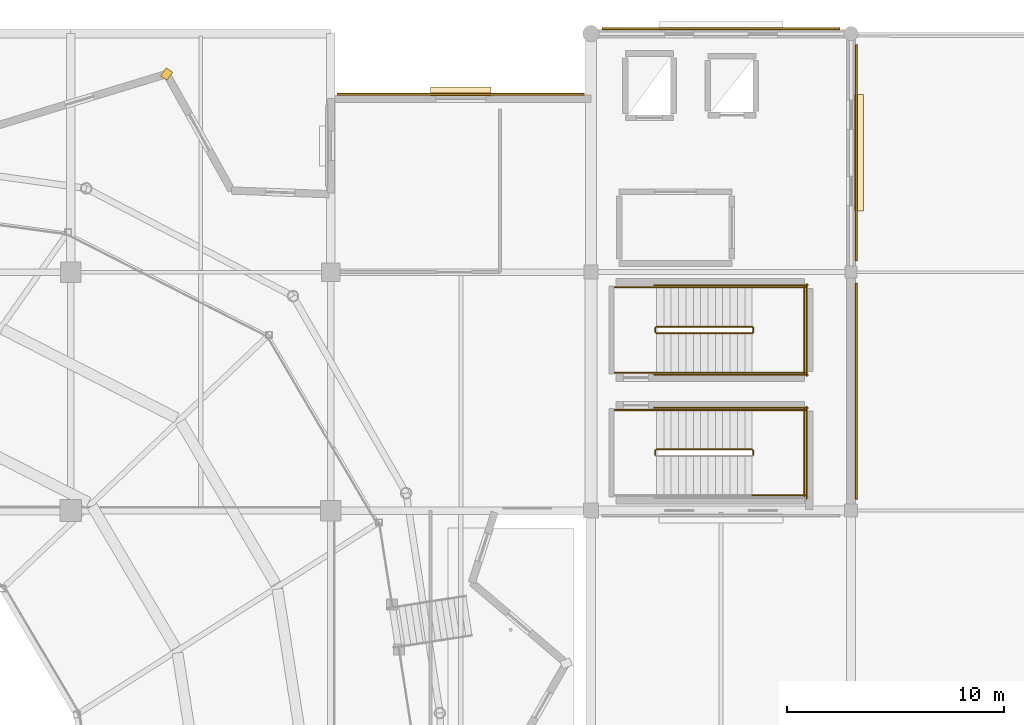
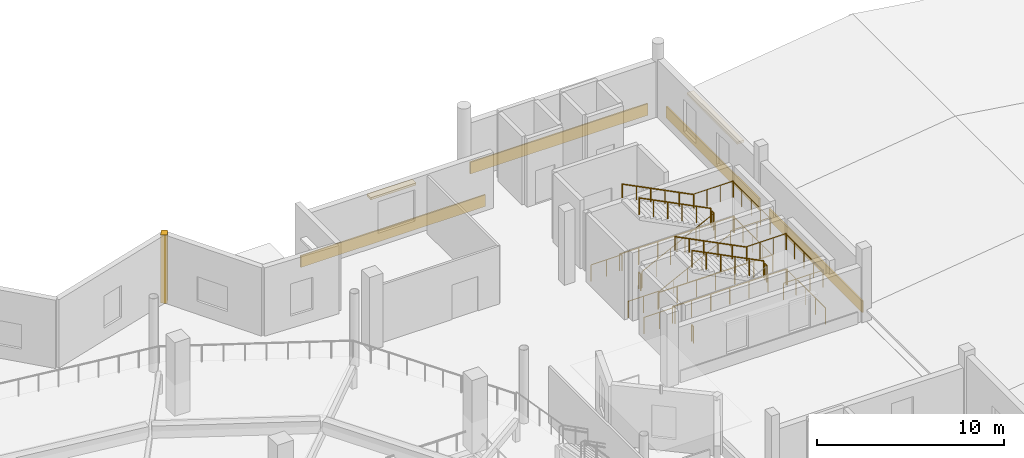
# One storey, part 76 of 77: 24 railings, 7 coverings.
"""IFC4 building model written with IfcOpenShell, lengths in metres."""

from ifc_helpers import new_model, si_unit, direction, frame, origin, origin_2d, place, context, subcontext, project, spatial, rectangle, circle, extrude, material, layer, layer_set, type_object, element, save


model = new_model("IFC4")

# Units and contexts
model_context = context("Model", 3, precision=1e-05, world=origin(), true_north=direction((0.0, 1.0)))
body_context = subcontext(model_context, "Body", "Model", "MODEL_VIEW")
ifc_project = project(units=[si_unit("LENGTHUNIT", "METRE"), si_unit("AREAUNIT", "SQUARE_METRE"), si_unit("VOLUMEUNIT", "CUBIC_METRE"), si_unit("PLANEANGLEUNIT", "RADIAN"), si_unit("MASSUNIT", "GRAM", prefix="KILO")], contexts=[model_context])

# Site, building, storey
site_placement = place(None, origin())
site = spatial("IfcSite", under=ifc_project, at=site_placement, CompositionType="ELEMENT")
building_placement = place(site_placement, origin())
building = spatial("IfcBuilding", under=site, at=building_placement, Name="Luwafu Chhajja Arena", CompositionType="ELEMENT")
storey_placement = place(building_placement, frame((0.0, 0.0, 14.699951171875)))
storey = spatial("IfcBuildingStorey", under=building, at=storey_placement, Name="L03", CompositionType="ELEMENT", Elevation=14.699951171875)

# Coverings
ifc_material_1 = material(Name="Red laterite sandstone cladding", Category="masonry")
ifc_layer = layer(ifc_material_1, 0.074951171875, Name="Red laterite sandstone cladding")
ifc_layer_set = layer_set([ifc_layer], Name="Red laterite sandstone cladding")
covering_type = type_object("IfcCoveringType", Name="Dressed Red-Laterite Sandstone Cladding", PredefinedType="CLADDING", material=ifc_layer_set)
covering_1_placement = place(storey_placement, frame((132.427490234375, 97.135986328125, 0.0), z_axis=(0.0, 0.0, 1.0), x_axis=(0.574411104334, 0.818566969293, 0.0)))
element("IfcCovering", 1, at=covering_1_placement, inside=storey, type_object=covering_type, Name="L03 Pleated Bowl Sandstone Ridge Fin 06", PredefinedType="CLADDING", context=body_context, shape_type="SweptSolid", body=[
    extrude(rectangle(XDim=0.4599609375, YDim=0.360107421875, at=origin_2d()), origin(), (0.0, 0.0, 1.0), 4.455078125),
])
covering_2_placement = place(storey_placement, frame((146.0, 96.2119140625, 0.0), z_axis=(0.0, 0.0, 1.0), x_axis=(1.0, 0.0, 0.0)))
element("IfcCovering", 2, at=covering_2_placement, inside=storey, type_object=covering_type, Name="L03 Red-Laterite Sandstone Plinth Cladding 090", PredefinedType="CLADDING", context=body_context, shape_type="SweptSolid", body=[
    extrude(rectangle(XDim=11.39990234375, YDim=0.0849609375, at=origin_2d()), origin(), (0.0, 0.0, 1.0), 0.760009765625),
])
covering_3_placement = place(storey_placement, frame((146.0, 96.340087890625, 2.93017578125), z_axis=(0.0, 0.0, 1.0), x_axis=(1.0, 0.0, 0.0)))
element("IfcCovering", 3, at=covering_3_placement, inside=storey, type_object=covering_type, Name="L03 Mughal Sandstone Window Chhajja Hood 0084", PredefinedType="CLADDING", context=body_context, shape_type="SweptSolid", body=[
    extrude(rectangle(XDim=2.800048828125, YDim=0.419921875, at=origin_2d()), origin(), (0.0, 0.0, 1.0), 0.139892578125),
])
covering_4_placement = place(storey_placement, frame((164.23193359375, 82.5, 0.0), z_axis=(0.0, 0.0, 1.0), x_axis=(0.0, 1.0, 0.0)))
element("IfcCovering", 4, at=covering_4_placement, inside=storey, type_object=covering_type, Name="L03 Red-Laterite Sandstone Plinth Cladding 101", PredefinedType="CLADDING", context=body_context, shape_type="SweptSolid", body=[
    extrude(rectangle(XDim=9.9599609375, YDim=0.0849609375, at=origin_2d()), origin(), (0.0, 0.0, 1.0), 0.760009765625),
])
covering_5_placement = place(storey_placement, frame((158.0, 99.23193359375, 0.0), z_axis=(0.0, 0.0, 1.0), x_axis=(1.0, 0.0, 0.0)))
element("IfcCovering", 5, at=covering_5_placement, inside=storey, type_object=covering_type, Name="L03 Red-Laterite Sandstone Plinth Cladding 102", PredefinedType="CLADDING", context=body_context, shape_type="SweptSolid", body=[
    extrude(rectangle(XDim=10.9599609375, YDim=0.0849609375, at=origin_2d()), origin(), (0.0, 0.0, 1.0), 0.760009765625),
])
covering_6_placement = place(storey_placement, frame((164.23193359375, 93.5, 0.0), z_axis=(0.0, 0.0, 1.0), x_axis=(0.0, 1.0, 0.0)))
element("IfcCovering", 6, at=covering_6_placement, inside=storey, type_object=covering_type, Name="L03 Red-Laterite Sandstone Plinth Cladding 103", PredefinedType="CLADDING", context=body_context, shape_type="SweptSolid", body=[
    extrude(rectangle(XDim=9.9599609375, YDim=0.0849609375, at=origin_2d()), origin(), (0.0, 0.0, 1.0), 0.760009765625),
])
covering_7_placement = place(storey_placement, frame((164.360107421875, 93.5, 2.93017578125), z_axis=(0.0, 0.0, 1.0), x_axis=(0.0, 1.0, 0.0)))
element("IfcCovering", 7, at=covering_7_placement, inside=storey, type_object=covering_type, Name="L03 Mughal Sandstone Window Chhajja Hood 0095", PredefinedType="CLADDING", context=body_context, shape_type="SweptSolid", body=[
    extrude(rectangle(XDim=5.3701171875, YDim=0.419921875, at=origin_2d()), origin(), (0.0, 0.0, 1.0), 0.139892578125),
])

# Railings
ifc_material_2 = material(Name="Stainless steel handrail", Category="steel")
railing_type_1 = type_object("IfcRailingType", Name="Stair Pitch Wall Handrail 920", PredefinedType="HANDRAIL", material=ifc_material_2)
railing_1_placement = place(storey_placement, frame((159.43994140625, 81.639892578125, 2.571533203125)))
element("IfcRailing", 8, at=railing_1_placement, inside=storey, type_object=railing_type_1, Name="L03 ST-07 stair handrail 2", PredefinedType="HANDRAIL", context=body_context, shape_type="SweptSolid", body=[
    extrude(circle(Radius=0.02392578125, at=origin_2d()), frame((0.0, 0.0, 0.8759765625), z_axis=(-0.89292277971, 0.0, 0.450209850486), x_axis=(0.0, -1.0, 0.0)), (0.0, 0.0, 1.0), 4.949951171875),
    extrude(circle(Radius=0.02099609375, at=origin_2d()), origin(), (0.0, 0.0, 1.0), 0.851806640625),
    extrude(circle(Radius=0.02099609375, at=origin_2d()), frame((-0.884033203125, 0.0, 0.44580078125)), (0.0, 0.0, 1.0), 0.851806640625),
    extrude(circle(Radius=0.02099609375, at=origin_2d()), frame((-1.76806640625, 0.0, 0.891357421875)), (0.0, 0.0, 1.0), 0.851806640625),
    extrude(circle(Radius=0.02099609375, at=origin_2d()), frame((-2.65185546875, 0.0, 1.337158203125)), (0.0, 0.0, 1.0), 0.851806640625),
    extrude(circle(Radius=0.02099609375, at=origin_2d()), frame((-3.535888671875, 0.0, 1.78271484375)), (0.0, 0.0, 1.0), 0.851806640625),
    extrude(circle(Radius=0.02099609375, at=origin_2d()), frame((-4.419921875, 0.0, 2.228515625)), (0.0, 0.0, 1.0), 0.851806640625),
])
railing_2_placement = place(storey_placement, frame((155.02001953125, 83.360107421875, 0.17138671875)))
element("IfcRailing", 9, at=railing_2_placement, inside=storey, type_object=railing_type_1, Name="L03 ST-08 stair handrail 1", PredefinedType="HANDRAIL", context=body_context, shape_type="SweptSolid", body=[
    extrude(circle(Radius=0.02392578125, at=origin_2d()), frame((0.0, 0.0, 0.8759765625), z_axis=(0.892902951771, 0.0, 0.450249174034), x_axis=(0.0, 1.0, 0.0)), (0.0, 0.0, 1.0), 4.949951171875),
    extrude(circle(Radius=0.02099609375, at=origin_2d()), origin(), (0.0, 0.0, 1.0), 0.851806640625),
    extrude(circle(Radius=0.02099609375, at=origin_2d()), frame((0.884033203125, 0.0, 0.44580078125)), (0.0, 0.0, 1.0), 0.851806640625),
    extrude(circle(Radius=0.02099609375, at=origin_2d()), frame((1.76806640625, 0.0, 0.8916015625)), (0.0, 0.0, 1.0), 0.851806640625),
    extrude(circle(Radius=0.02099609375, at=origin_2d()), frame((2.65185546875, 0.0, 1.337158203125)), (0.0, 0.0, 1.0), 0.851806640625),
    extrude(circle(Radius=0.02099609375, at=origin_2d()), frame((3.535888671875, 0.0, 1.782958984375)), (0.0, 0.0, 1.0), 0.851806640625),
    extrude(circle(Radius=0.02099609375, at=origin_2d()), frame((4.419921875, 0.0, 2.228759765625)), (0.0, 0.0, 1.0), 0.851806640625),
])
railing_3_placement = place(storey_placement, frame((159.43994140625, 87.300048828125, 2.571533203125)))
element("IfcRailing", 10, at=railing_3_placement, inside=storey, type_object=railing_type_1, Name="L03 ST-08 stair handrail 2", PredefinedType="HANDRAIL", context=body_context, shape_type="SweptSolid", body=[
    extrude(circle(Radius=0.02392578125, at=origin_2d()), frame((0.0, 0.0, 0.8759765625), z_axis=(-0.89292277971, 0.0, 0.450209850486), x_axis=(0.0, -1.0, 0.0)), (0.0, 0.0, 1.0), 4.949951171875),
    extrude(circle(Radius=0.02099609375, at=origin_2d()), origin(), (0.0, 0.0, 1.0), 0.851806640625),
    extrude(circle(Radius=0.02099609375, at=origin_2d()), frame((-0.884033203125, 0.0, 0.44580078125)), (0.0, 0.0, 1.0), 0.851806640625),
    extrude(circle(Radius=0.02099609375, at=origin_2d()), frame((-1.76806640625, 0.0, 0.891357421875)), (0.0, 0.0, 1.0), 0.851806640625),
    extrude(circle(Radius=0.02099609375, at=origin_2d()), frame((-2.65185546875, 0.0, 1.337158203125)), (0.0, 0.0, 1.0), 0.851806640625),
    extrude(circle(Radius=0.02099609375, at=origin_2d()), frame((-3.535888671875, 0.0, 1.78271484375)), (0.0, 0.0, 1.0), 0.851806640625),
    extrude(circle(Radius=0.02099609375, at=origin_2d()), frame((-4.419921875, 0.0, 2.228515625)), (0.0, 0.0, 1.0), 0.851806640625),
])
ifc_material_3 = material(Name="Stainless steel balustrade", Category="steel")
railing_type_2 = type_object("IfcRailingType", Name="Stair and Terrace Guard Balustrade 1100", PredefinedType="BALUSTRADE", material=ifc_material_3)
railing_4_placement = place(storey_placement, frame((159.489990234375, 79.570068359375, 2.400146484375)))
element("IfcRailing", 11, at=railing_4_placement, inside=storey, type_object=railing_type_2, Name="L03 ST-07 stair guard 2", PredefinedType="BALUSTRADE", context=body_context, shape_type="SweptSolid", body=[
    extrude(circle(Radius=0.02392578125, at=origin_2d()), frame((0.0, 0.0, 1.076171875), z_axis=(0.0, 1.0, 0.0), x_axis=(-1.0, 0.0, 0.0)), (0.0, 0.0, 1.0), 0.199951171875),
    extrude(circle(Radius=0.02099609375, at=origin_2d()), origin(), (0.0, 0.0, 1.0), 1.052001953125),
    extrude(circle(Radius=0.02099609375, at=origin_2d()), frame((0.0, 0.199951171875, 0.0)), (0.0, 0.0, 1.0), 1.052001953125),
])
for number, where, name in (
    (12, (159.43994140625, 77.699951171875, 2.400146484375), "L03 ST-07 stair guard 3"),
    (13, (159.43994140625, 81.639892578125, 2.400146484375), "L03 ST-07 stair guard 4"),
):
    element("IfcRailing", number, at=place(storey_placement, frame(where)), inside=storey, type_object=railing_type_2, Name=name, PredefinedType="BALUSTRADE", context=body_context, shape_type="SweptSolid", body=[
        extrude(circle(Radius=0.02392578125, at=origin_2d()), frame((0.0, 0.0, 1.076171875), z_axis=(1.0, 0.0, 0.0), x_axis=(0.0, 1.0, 0.0)), (0.0, 0.0, 1.0), 2.4599609375),
        extrude(circle(Radius=0.02099609375, at=origin_2d()), origin(), (0.0, 0.0, 1.0), 1.052001953125),
        extrude(circle(Radius=0.02099609375, at=origin_2d()), frame((0.820068359375, 0.0, 0.0)), (0.0, 0.0, 1.0), 1.052001953125),
        extrude(circle(Radius=0.02099609375, at=origin_2d()), frame((1.639892578125, 0.0, 0.0)), (0.0, 0.0, 1.0), 1.052001953125),
        extrude(circle(Radius=0.02099609375, at=origin_2d()), frame((2.4599609375, 0.0, 0.0)), (0.0, 0.0, 1.0), 1.052001953125),
    ])
railing_5_placement = place(storey_placement, frame((161.85009765625, 77.64990234375, 2.400146484375)))
element("IfcRailing", 14, at=railing_5_placement, inside=storey, type_object=railing_type_2, Name="L03 ST-07 stair guard 5", PredefinedType="BALUSTRADE", context=body_context, shape_type="SweptSolid", body=[
    extrude(circle(Radius=0.02392578125, at=origin_2d()), frame((0.0, 0.0, 1.076171875), z_axis=(0.0, 1.0, 0.0), x_axis=(-1.0, 0.0, 0.0)), (0.0, 0.0, 1.0), 4.0400390625),
    extrude(circle(Radius=0.02099609375, at=origin_2d()), origin(), (0.0, 0.0, 1.0), 1.052001953125),
    extrude(circle(Radius=0.02099609375, at=origin_2d()), frame((0.0, 1.010009765625, 0.0)), (0.0, 0.0, 1.0), 1.052001953125),
    extrude(circle(Radius=0.02099609375, at=origin_2d()), frame((0.0, 2.02001953125, 0.0)), (0.0, 0.0, 1.0), 1.052001953125),
    extrude(circle(Radius=0.02099609375, at=origin_2d()), frame((0.0, 3.030029296875, 0.0)), (0.0, 0.0, 1.0), 1.052001953125),
    extrude(circle(Radius=0.02099609375, at=origin_2d()), frame((0.0, 4.0400390625, 0.0)), (0.0, 0.0, 1.0), 1.052001953125),
])
railing_6_placement = place(storey_placement, frame((159.43994140625, 79.820068359375, 2.571533203125)))
element("IfcRailing", 15, at=railing_6_placement, inside=storey, type_object=railing_type_2, Name="L03 ST-07 stair guard 6", PredefinedType="BALUSTRADE", context=body_context, shape_type="SweptSolid", body=[
    extrude(circle(Radius=0.02392578125, at=origin_2d()), frame((0.0, 0.0, 1.076171875), z_axis=(-0.89292277971, 0.0, 0.450209850486), x_axis=(0.0, -1.0, 0.0)), (0.0, 0.0, 1.0), 4.949951171875),
    extrude(circle(Radius=0.02099609375, at=origin_2d()), origin(), (0.0, 0.0, 1.0), 1.052001953125),
    extrude(circle(Radius=0.02099609375, at=origin_2d()), frame((-0.884033203125, 0.0, 0.44580078125)), (0.0, 0.0, 1.0), 1.052001953125),
    extrude(circle(Radius=0.02099609375, at=origin_2d()), frame((-1.76806640625, 0.0, 0.891357421875)), (0.0, 0.0, 1.0), 1.052001953125),
    extrude(circle(Radius=0.02099609375, at=origin_2d()), frame((-2.65185546875, 0.0, 1.337158203125)), (0.0, 0.0, 1.0), 1.052001953125),
    extrude(circle(Radius=0.02099609375, at=origin_2d()), frame((-3.535888671875, 0.0, 1.78271484375)), (0.0, 0.0, 1.0), 1.052001953125),
    extrude(circle(Radius=0.02099609375, at=origin_2d()), frame((-4.419921875, 0.0, 2.228515625)), (0.0, 0.0, 1.0), 1.052001953125),
])
railing_7_placement = place(storey_placement, frame((154.969970703125, 79.570068359375, 0.0)))
element("IfcRailing", 16, at=railing_7_placement, inside=storey, type_object=railing_type_2, Name="L03 ST-07 stair guard 7", PredefinedType="BALUSTRADE", context=body_context, shape_type="SweptSolid", body=[
    extrude(circle(Radius=0.02392578125, at=origin_2d()), frame((0.0, 0.0, 1.076171875), z_axis=(0.0, 1.0, 0.0), x_axis=(-1.0, 0.0, 0.0)), (0.0, 0.0, 1.0), 0.199951171875),
    extrude(circle(Radius=0.02099609375, at=origin_2d()), origin(), (0.0, 0.0, 1.0), 1.052001953125),
    extrude(circle(Radius=0.02099609375, at=origin_2d()), frame((0.0, 0.199951171875, 0.0)), (0.0, 0.0, 1.0), 1.052001953125),
])
railing_8_placement = place(storey_placement, frame((153.10009765625, 81.639892578125, 0.0)))
element("IfcRailing", 17, at=railing_8_placement, inside=storey, type_object=railing_type_2, Name="L03 ST-07 stair guard 9", PredefinedType="BALUSTRADE", context=body_context, shape_type="SweptSolid", body=[
    extrude(circle(Radius=0.02392578125, at=origin_2d()), frame((0.0, 0.0, 1.076171875), z_axis=(1.0, 0.0, 0.0), x_axis=(0.0, 1.0, 0.0)), (0.0, 0.0, 1.0), 1.919921875),
    extrude(circle(Radius=0.02099609375, at=origin_2d()), origin(), (0.0, 0.0, 1.0), 1.052001953125),
    extrude(circle(Radius=0.02099609375, at=origin_2d()), frame((0.9599609375, 0.0, 0.0)), (0.0, 0.0, 1.0), 1.052001953125),
    extrude(circle(Radius=0.02099609375, at=origin_2d()), frame((1.919921875, 0.0, 0.0)), (0.0, 0.0, 1.0), 1.052001953125),
])
railing_9_placement = place(storey_placement, frame((154.919921875, 81.739990234375, 0.0)))
element("IfcRailing", 18, at=railing_9_placement, inside=storey, type_object=railing_type_2, Name="L03 ST-07 stair guard 11", PredefinedType="BALUSTRADE", context=body_context, shape_type="SweptSolid", body=[
    extrude(circle(Radius=0.02392578125, at=origin_2d()), frame((0.0, 0.0, 1.076171875), z_axis=(1.0, 0.0, 0.0), x_axis=(0.0, 1.0, 0.0)), (0.0, 0.0, 1.0), 7.080078125),
    extrude(circle(Radius=0.02099609375, at=origin_2d()), origin(), (0.0, 0.0, 1.0), 1.052001953125),
    extrude(circle(Radius=0.02099609375, at=origin_2d()), frame((1.179931640625, 0.0, 0.0)), (0.0, 0.0, 1.0), 1.052001953125),
    extrude(circle(Radius=0.02099609375, at=origin_2d()), frame((2.360107421875, 0.0, 0.0)), (0.0, 0.0, 1.0), 1.052001953125),
    extrude(circle(Radius=0.02099609375, at=origin_2d()), frame((3.5400390625, 0.0, 0.0)), (0.0, 0.0, 1.0), 1.052001953125),
    extrude(circle(Radius=0.02099609375, at=origin_2d()), frame((4.719970703125, 0.0, 0.0)), (0.0, 0.0, 1.0), 1.052001953125),
    extrude(circle(Radius=0.02099609375, at=origin_2d()), frame((5.900146484375, 0.0, 0.0)), (0.0, 0.0, 1.0), 1.052001953125),
    extrude(circle(Radius=0.02099609375, at=origin_2d()), frame((7.080078125, 0.0, 0.0)), (0.0, 0.0, 1.0), 1.052001953125),
])
railing_10_placement = place(storey_placement, frame((161.949951171875, 77.550048828125, 0.0)))
element("IfcRailing", 19, at=railing_10_placement, inside=storey, type_object=railing_type_2, Name="L03 ST-07 stair guard 12", PredefinedType="BALUSTRADE", context=body_context, shape_type="SweptSolid", body=[
    extrude(circle(Radius=0.02392578125, at=origin_2d()), frame((0.0, 0.0, 1.076171875), z_axis=(0.0, 1.0, 0.0), x_axis=(-1.0, 0.0, 0.0)), (0.0, 0.0, 1.0), 4.239990234375),
    extrude(circle(Radius=0.02099609375, at=origin_2d()), origin(), (0.0, 0.0, 1.0), 1.052001953125),
    extrude(circle(Radius=0.02099609375, at=origin_2d()), frame((0.0, 1.06005859375, 0.0)), (0.0, 0.0, 1.0), 1.052001953125),
    extrude(circle(Radius=0.02099609375, at=origin_2d()), frame((0.0, 2.1201171875, 0.0)), (0.0, 0.0, 1.0), 1.052001953125),
    extrude(circle(Radius=0.02099609375, at=origin_2d()), frame((0.0, 3.179931640625, 0.0)), (0.0, 0.0, 1.0), 1.052001953125),
    extrude(circle(Radius=0.02099609375, at=origin_2d()), frame((0.0, 4.239990234375, 0.0)), (0.0, 0.0, 1.0), 1.052001953125),
])
railing_11_placement = place(storey_placement, frame((155.02001953125, 85.179931640625, 0.17138671875)))
element("IfcRailing", 20, at=railing_11_placement, inside=storey, type_object=railing_type_2, Name="L03 ST-08 stair guard 1", PredefinedType="BALUSTRADE", context=body_context, shape_type="SweptSolid", body=[
    extrude(circle(Radius=0.02392578125, at=origin_2d()), frame((0.0, 0.0, 1.076171875), z_axis=(0.892902951771, 0.0, 0.450249174034), x_axis=(0.0, 1.0, 0.0)), (0.0, 0.0, 1.0), 4.949951171875),
    extrude(circle(Radius=0.02099609375, at=origin_2d()), origin(), (0.0, 0.0, 1.0), 1.052001953125),
    extrude(circle(Radius=0.02099609375, at=origin_2d()), frame((0.884033203125, 0.0, 0.44580078125)), (0.0, 0.0, 1.0), 1.052001953125),
    extrude(circle(Radius=0.02099609375, at=origin_2d()), frame((1.76806640625, 0.0, 0.8916015625)), (0.0, 0.0, 1.0), 1.052001953125),
    extrude(circle(Radius=0.02099609375, at=origin_2d()), frame((2.65185546875, 0.0, 1.337158203125)), (0.0, 0.0, 1.0), 1.052001953125),
    extrude(circle(Radius=0.02099609375, at=origin_2d()), frame((3.535888671875, 0.0, 1.782958984375)), (0.0, 0.0, 1.0), 1.052001953125),
    extrude(circle(Radius=0.02099609375, at=origin_2d()), frame((4.419921875, 0.0, 2.228759765625)), (0.0, 0.0, 1.0), 1.052001953125),
])
railing_12_placement = place(storey_placement, frame((159.489990234375, 85.22998046875, 2.400146484375)))
element("IfcRailing", 21, at=railing_12_placement, inside=storey, type_object=railing_type_2, Name="L03 ST-08 stair guard 2", PredefinedType="BALUSTRADE", context=body_context, shape_type="SweptSolid", body=[
    extrude(circle(Radius=0.02392578125, at=origin_2d()), frame((0.0, 0.0, 1.076171875), z_axis=(0.0, 1.0, 0.0), x_axis=(-1.0, 0.0, 0.0)), (0.0, 0.0, 1.0), 0.199951171875),
    extrude(circle(Radius=0.02099609375, at=origin_2d()), origin(), (0.0, 0.0, 1.0), 1.052001953125),
    extrude(circle(Radius=0.02099609375, at=origin_2d()), frame((0.0, 0.199951171875, 0.0)), (0.0, 0.0, 1.0), 1.052001953125),
])
for number, where, name in (
    (22, (159.43994140625, 83.360107421875, 2.400146484375), "L03 ST-08 stair guard 3"),
    (23, (159.43994140625, 87.300048828125, 2.400146484375), "L03 ST-08 stair guard 4"),
):
    element("IfcRailing", number, at=place(storey_placement, frame(where)), inside=storey, type_object=railing_type_2, Name=name, PredefinedType="BALUSTRADE", context=body_context, shape_type="SweptSolid", body=[
        extrude(circle(Radius=0.02392578125, at=origin_2d()), frame((0.0, 0.0, 1.076171875), z_axis=(1.0, 0.0, 0.0), x_axis=(0.0, 1.0, 0.0)), (0.0, 0.0, 1.0), 2.4599609375),
        extrude(circle(Radius=0.02099609375, at=origin_2d()), origin(), (0.0, 0.0, 1.0), 1.052001953125),
        extrude(circle(Radius=0.02099609375, at=origin_2d()), frame((0.820068359375, 0.0, 0.0)), (0.0, 0.0, 1.0), 1.052001953125),
        extrude(circle(Radius=0.02099609375, at=origin_2d()), frame((1.639892578125, 0.0, 0.0)), (0.0, 0.0, 1.0), 1.052001953125),
        extrude(circle(Radius=0.02099609375, at=origin_2d()), frame((2.4599609375, 0.0, 0.0)), (0.0, 0.0, 1.0), 1.052001953125),
    ])
railing_13_placement = place(storey_placement, frame((161.85009765625, 83.31005859375, 2.400146484375)))
element("IfcRailing", 24, at=railing_13_placement, inside=storey, type_object=railing_type_2, Name="L03 ST-08 stair guard 5", PredefinedType="BALUSTRADE", context=body_context, shape_type="SweptSolid", body=[
    extrude(circle(Radius=0.02392578125, at=origin_2d()), frame((0.0, 0.0, 1.076171875), z_axis=(0.0, 1.0, 0.0), x_axis=(-1.0, 0.0, 0.0)), (0.0, 0.0, 1.0), 4.0400390625),
    extrude(circle(Radius=0.02099609375, at=origin_2d()), origin(), (0.0, 0.0, 1.0), 1.052001953125),
    extrude(circle(Radius=0.02099609375, at=origin_2d()), frame((0.0, 1.010009765625, 0.0)), (0.0, 0.0, 1.0), 1.052001953125),
    extrude(circle(Radius=0.02099609375, at=origin_2d()), frame((0.0, 2.02001953125, 0.0)), (0.0, 0.0, 1.0), 1.052001953125),
    extrude(circle(Radius=0.02099609375, at=origin_2d()), frame((0.0, 3.030029296875, 0.0)), (0.0, 0.0, 1.0), 1.052001953125),
    extrude(circle(Radius=0.02099609375, at=origin_2d()), frame((0.0, 4.0400390625, 0.0)), (0.0, 0.0, 1.0), 1.052001953125),
])
railing_14_placement = place(storey_placement, frame((159.43994140625, 85.47998046875, 2.571533203125)))
element("IfcRailing", 25, at=railing_14_placement, inside=storey, type_object=railing_type_2, Name="L03 ST-08 stair guard 6", PredefinedType="BALUSTRADE", context=body_context, shape_type="SweptSolid", body=[
    extrude(circle(Radius=0.02392578125, at=origin_2d()), frame((0.0, 0.0, 1.076171875), z_axis=(-0.89292277971, 0.0, 0.450209850486), x_axis=(0.0, -1.0, 0.0)), (0.0, 0.0, 1.0), 4.949951171875),
    extrude(circle(Radius=0.02099609375, at=origin_2d()), origin(), (0.0, 0.0, 1.0), 1.052001953125),
    extrude(circle(Radius=0.02099609375, at=origin_2d()), frame((-0.884033203125, 0.0, 0.44580078125)), (0.0, 0.0, 1.0), 1.052001953125),
    extrude(circle(Radius=0.02099609375, at=origin_2d()), frame((-1.76806640625, 0.0, 0.891357421875)), (0.0, 0.0, 1.0), 1.052001953125),
    extrude(circle(Radius=0.02099609375, at=origin_2d()), frame((-2.65185546875, 0.0, 1.337158203125)), (0.0, 0.0, 1.0), 1.052001953125),
    extrude(circle(Radius=0.02099609375, at=origin_2d()), frame((-3.535888671875, 0.0, 1.78271484375)), (0.0, 0.0, 1.0), 1.052001953125),
    extrude(circle(Radius=0.02099609375, at=origin_2d()), frame((-4.419921875, 0.0, 2.228515625)), (0.0, 0.0, 1.0), 1.052001953125),
])
railing_15_placement = place(storey_placement, frame((154.969970703125, 85.22998046875, 0.0)))
element("IfcRailing", 26, at=railing_15_placement, inside=storey, type_object=railing_type_2, Name="L03 ST-08 stair guard 7", PredefinedType="BALUSTRADE", context=body_context, shape_type="SweptSolid", body=[
    extrude(circle(Radius=0.02392578125, at=origin_2d()), frame((0.0, 0.0, 1.076171875), z_axis=(0.0, 1.0, 0.0), x_axis=(-1.0, 0.0, 0.0)), (0.0, 0.0, 1.0), 0.199951171875),
    extrude(circle(Radius=0.02099609375, at=origin_2d()), origin(), (0.0, 0.0, 1.0), 1.052001953125),
    extrude(circle(Radius=0.02099609375, at=origin_2d()), frame((0.0, 0.199951171875, 0.0)), (0.0, 0.0, 1.0), 1.052001953125),
])
for number, where, name in (
    (27, (153.10009765625, 83.360107421875, 0.0), "L03 ST-08 stair guard 8"),
    (28, (153.10009765625, 87.300048828125, 0.0), "L03 ST-08 stair guard 9"),
):
    element("IfcRailing", number, at=place(storey_placement, frame(where)), inside=storey, type_object=railing_type_2, Name=name, PredefinedType="BALUSTRADE", context=body_context, shape_type="SweptSolid", body=[
        extrude(circle(Radius=0.02392578125, at=origin_2d()), frame((0.0, 0.0, 1.076171875), z_axis=(1.0, 0.0, 0.0), x_axis=(0.0, 1.0, 0.0)), (0.0, 0.0, 1.0), 1.919921875),
        extrude(circle(Radius=0.02099609375, at=origin_2d()), origin(), (0.0, 0.0, 1.0), 1.052001953125),
        extrude(circle(Radius=0.02099609375, at=origin_2d()), frame((0.9599609375, 0.0, 0.0)), (0.0, 0.0, 1.0), 1.052001953125),
        extrude(circle(Radius=0.02099609375, at=origin_2d()), frame((1.919921875, 0.0, 0.0)), (0.0, 0.0, 1.0), 1.052001953125),
    ])
for number, where, name in (
    (29, (154.919921875, 83.260009765625, 0.0), "L03 ST-08 stair guard 10"),
    (30, (154.919921875, 87.39990234375, 0.0), "L03 ST-08 stair guard 11"),
):
    element("IfcRailing", number, at=place(storey_placement, frame(where)), inside=storey, type_object=railing_type_2, Name=name, PredefinedType="BALUSTRADE", context=body_context, shape_type="SweptSolid", body=[
        extrude(circle(Radius=0.02392578125, at=origin_2d()), frame((0.0, 0.0, 1.076171875), z_axis=(1.0, 0.0, 0.0), x_axis=(0.0, 1.0, 0.0)), (0.0, 0.0, 1.0), 7.080078125),
        extrude(circle(Radius=0.02099609375, at=origin_2d()), origin(), (0.0, 0.0, 1.0), 1.052001953125),
        extrude(circle(Radius=0.02099609375, at=origin_2d()), frame((1.179931640625, 0.0, 0.0)), (0.0, 0.0, 1.0), 1.052001953125),
        extrude(circle(Radius=0.02099609375, at=origin_2d()), frame((2.360107421875, 0.0, 0.0)), (0.0, 0.0, 1.0), 1.052001953125),
        extrude(circle(Radius=0.02099609375, at=origin_2d()), frame((3.5400390625, 0.0, 0.0)), (0.0, 0.0, 1.0), 1.052001953125),
        extrude(circle(Radius=0.02099609375, at=origin_2d()), frame((4.719970703125, 0.0, 0.0)), (0.0, 0.0, 1.0), 1.052001953125),
        extrude(circle(Radius=0.02099609375, at=origin_2d()), frame((5.900146484375, 0.0, 0.0)), (0.0, 0.0, 1.0), 1.052001953125),
        extrude(circle(Radius=0.02099609375, at=origin_2d()), frame((7.080078125, 0.0, 0.0)), (0.0, 0.0, 1.0), 1.052001953125),
    ])
railing_16_placement = place(storey_placement, frame((161.949951171875, 83.2099609375, 0.0)))
element("IfcRailing", 31, at=railing_16_placement, inside=storey, type_object=railing_type_2, Name="L03 ST-08 stair guard 12", PredefinedType="BALUSTRADE", context=body_context, shape_type="SweptSolid", body=[
    extrude(circle(Radius=0.02392578125, at=origin_2d()), frame((0.0, 0.0, 1.076171875), z_axis=(0.0, 1.0, 0.0), x_axis=(-1.0, 0.0, 0.0)), (0.0, 0.0, 1.0), 4.239990234375),
    extrude(circle(Radius=0.02099609375, at=origin_2d()), origin(), (0.0, 0.0, 1.0), 1.052001953125),
    extrude(circle(Radius=0.02099609375, at=origin_2d()), frame((0.0, 1.06005859375, 0.0)), (0.0, 0.0, 1.0), 1.052001953125),
    extrude(circle(Radius=0.02099609375, at=origin_2d()), frame((0.0, 2.1201171875, 0.0)), (0.0, 0.0, 1.0), 1.052001953125),
    extrude(circle(Radius=0.02099609375, at=origin_2d()), frame((0.0, 3.179931640625, 0.0)), (0.0, 0.0, 1.0), 1.052001953125),
    extrude(circle(Radius=0.02099609375, at=origin_2d()), frame((0.0, 4.239990234375, 0.0)), (0.0, 0.0, 1.0), 1.052001953125),
])

save(model, "model.ifc")
